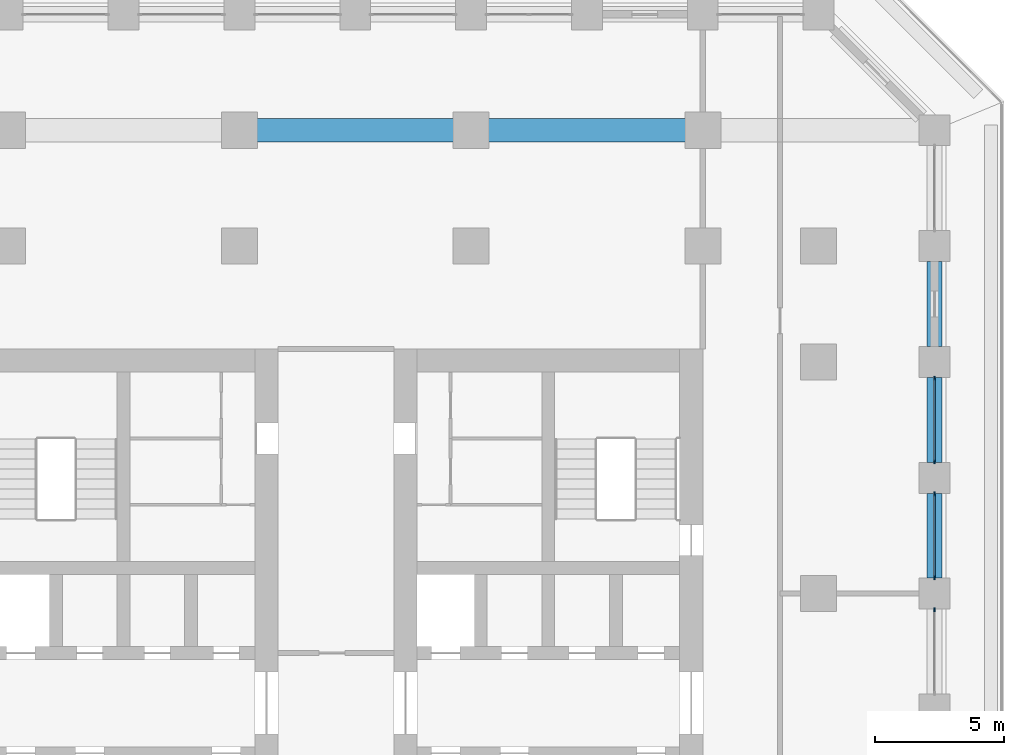
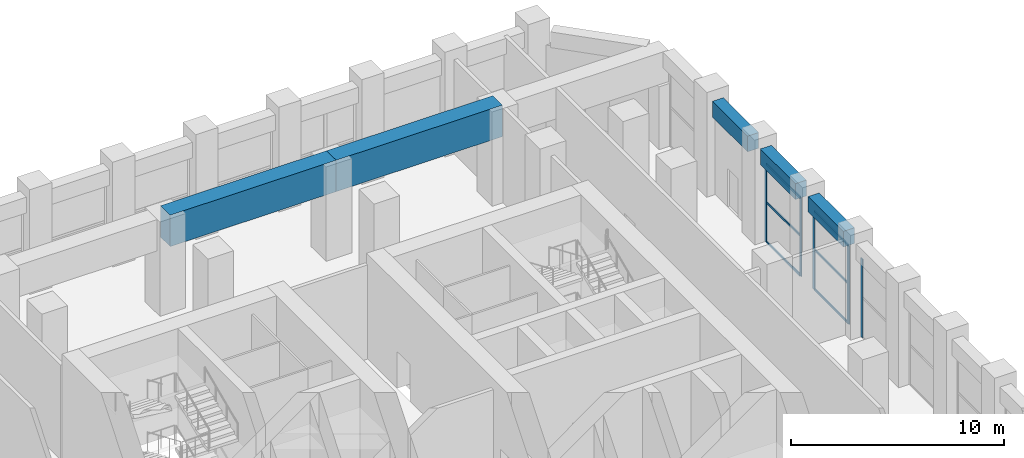
# One storey, part 8 of 24: 11 members, 5 beams, 3 elements without a shape of their own.
"""IFC4 building model written with IfcOpenShell, lengths in metres."""

from ifc_helpers import new_model, si_unit, direction, frame, origin, origin_2d, place, context, subcontext, project, spatial, rectangle, extrude, material, material_profile, profile_set, type_object, element, aggregate, save


model = new_model("IFC4")

# Units and contexts
model_context = context("Model", 3, precision=1e-05, world=origin(), true_north=direction((0.0, 1.0)))
body_context = subcontext(model_context, "Body", "Model", "MODEL_VIEW")
ifc_project = project(units=[si_unit("LENGTHUNIT", "METRE"), si_unit("AREAUNIT", "SQUARE_METRE"), si_unit("VOLUMEUNIT", "CUBIC_METRE"), si_unit("PLANEANGLEUNIT", "RADIAN"), si_unit("MASSUNIT", "GRAM", prefix="KILO")], contexts=[model_context])

# Site, building, storey
site_placement = place(None, origin())
site = spatial("IfcSite", under=ifc_project, at=site_placement, CompositionType="ELEMENT")
building_placement = place(site_placement, origin())
building = spatial("IfcBuilding", under=site, at=building_placement, Name="Corbel Stack Research Tower", CompositionType="ELEMENT")
storey_placement = place(building_placement, frame((0.0, 0.0, 145.39990234375)))
storey = spatial("IfcBuildingStorey", under=building, at=storey_placement, Name="L33", CompositionType="ELEMENT", Elevation=145.39990234375)

# Curtain wall, member
ifc_material_1 = material(Name="Aluminium frame, clear glass", Category="aluminium")
curtain_wall_type = type_object("IfcCurtainWallType", Name="Amenity floor curtain wall CW2", PredefinedType="NOTDEFINED", material=ifc_material_1)
curtain_wall_1_placement = place(storey_placement, origin())
curtain_wall_1 = element("IfcCurtainWall", 1, at=curtain_wall_1_placement, inside=storey, type_object=curtain_wall_type, Name="Curtain wall CW2 L33 E06", PredefinedType="NOTDEFINED")
ifc_material_2 = material(Name="Aluminium mullion", Category="aluminium")
ifc_material_profile_1 = material_profile(ifc_material_2, rectangle(XDim=0.06005859375, YDim=0.159912109375, at=origin_2d()), Name="Mullion 60 x 160")
ifc_profile_set_1 = profile_set([ifc_material_profile_1], Name="Aluminium mullion")
member_type_1 = type_object("IfcMemberType", Name="Curtain wall mullion 60 x 160", PredefinedType="MULLION", material=ifc_profile_set_1)
member_1_placement = place(storey_placement, frame((27.0, 8.3701171875, 0.0), z_axis=(0.0, 0.0, 1.0), x_axis=(-1.0, 0.0, 0.0)))
member_1 = element("IfcMember", 2, at=member_1_placement, type_object=member_type_1, Name="CW2 L33 E06 mullion 2", PredefinedType="MULLION", context=body_context, shape_type="SweptSolid", body=[
    extrude(rectangle(XDim=0.06005859375, YDim=0.159912109375, at=origin_2d()), origin(), (0.0, 0.0, 1.0), 4.5),
])
aggregate(curtain_wall_1, [member_1])

# Curtain wall, members
curtain_wall_2_placement = place(storey_placement, origin())
curtain_wall_2 = element("IfcCurtainWall", 3, at=curtain_wall_2_placement, inside=storey, type_object=curtain_wall_type, Name="Curtain wall CW2 L33 E07", PredefinedType="NOTDEFINED")
member_2_placement = place(storey_placement, frame((27.0, 9.6298828125, 0.0), z_axis=(0.0, 0.0, 1.0), x_axis=(-1.0, 0.0, 0.0)))
member_2 = element("IfcMember", 4, at=member_2_placement, type_object=member_type_1, Name="CW2 L33 E07 mullion 1", PredefinedType="MULLION", context=body_context, shape_type="SweptSolid", body=[
    extrude(rectangle(XDim=0.06005859375, YDim=0.159912109375, at=origin_2d()), origin(), (0.0, 0.0, 1.0), 4.5),
])
member_3_placement = place(storey_placement, frame((27.0, 12.8701171875, 0.0), z_axis=(0.0, 0.0, 1.0), x_axis=(-1.0, 0.0, 0.0)))
member_3 = element("IfcMember", 5, at=member_3_placement, type_object=member_type_1, Name="CW2 L33 E07 mullion 2", PredefinedType="MULLION", context=body_context, shape_type="SweptSolid", body=[
    extrude(rectangle(XDim=0.06005859375, YDim=0.159912109375, at=origin_2d()), origin(), (0.0, 0.0, 1.0), 4.5),
])

curtain_wall_3_placement = place(storey_placement, origin())
curtain_wall_3 = element("IfcCurtainWall", 6, at=curtain_wall_3_placement, inside=storey, type_object=curtain_wall_type, Name="Curtain wall CW2 L33 E08", PredefinedType="NOTDEFINED")
member_4_placement = place(storey_placement, frame((27.0, 14.1298828125, 0.0), z_axis=(0.0, 0.0, 1.0), x_axis=(-1.0, 0.0, 0.0)))
member_4 = element("IfcMember", 7, at=member_4_placement, type_object=member_type_1, Name="CW2 L33 E08 mullion 1", PredefinedType="MULLION", context=body_context, shape_type="SweptSolid", body=[
    extrude(rectangle(XDim=0.06005859375, YDim=0.159912109375, at=origin_2d()), origin(), (0.0, 0.0, 1.0), 4.5),
])
member_5_placement = place(storey_placement, frame((27.0, 17.3701171875, 0.0), z_axis=(0.0, 0.0, 1.0), x_axis=(-1.0, 0.0, 0.0)))
member_5 = element("IfcMember", 8, at=member_5_placement, type_object=member_type_1, Name="CW2 L33 E08 mullion 2", PredefinedType="MULLION", context=body_context, shape_type="SweptSolid", body=[
    extrude(rectangle(XDim=0.06005859375, YDim=0.159912109375, at=origin_2d()), origin(), (0.0, 0.0, 1.0), 4.5),
])

# Member
ifc_material_3 = material(Name="Aluminium transom", Category="aluminium")
ifc_material_profile_2 = material_profile(ifc_material_3, rectangle(XDim=0.06005859375, YDim=0.1201171875, at=origin_2d()), Name="Transom 60 x 120")
ifc_profile_set_2 = profile_set([ifc_material_profile_2], Name="Aluminium transom")
member_type_2 = type_object("IfcMemberType", Name="Curtain wall transom 60 x 120", PredefinedType="USERDEFINED", material=ifc_profile_set_2)
member_6_placement = place(storey_placement, frame((27.0, 9.659912109375, 0.030029296875), z_axis=(0.0, 1.0, 0.0), x_axis=(-1.0, 0.0, 0.0)))
member_6 = element("IfcMember", 9, at=member_6_placement, type_object=member_type_2, Name="CW2 L33 E07 transom 1.1", ObjectType="TRANSOM", PredefinedType="USERDEFINED", context=body_context, shape_type="SweptSolid", body=[
    extrude(rectangle(XDim=0.06005859375, YDim=0.1201171875, at=origin_2d()), origin(), (0.0, 0.0, 1.0), 3.18017578125),
])

member_7_placement = place(storey_placement, frame((27.0, 9.659912109375, 2.300048828125), z_axis=(0.0, 1.0, 0.0), x_axis=(-1.0, 0.0, 0.0)))
member_7 = element("IfcMember", 10, at=member_7_placement, type_object=member_type_2, Name="CW2 L33 E07 transom 1.2", ObjectType="TRANSOM", PredefinedType="USERDEFINED", context=body_context, shape_type="SweptSolid", body=[
    extrude(rectangle(XDim=0.06005859375, YDim=0.1201171875, at=origin_2d()), origin(), (0.0, 0.0, 1.0), 3.18017578125),
])

member_8_placement = place(storey_placement, frame((27.0, 9.659912109375, 4.47021484375), z_axis=(0.0, 1.0, 0.0), x_axis=(-1.0, 0.0, 0.0)))
member_8 = element("IfcMember", 11, at=member_8_placement, type_object=member_type_2, Name="CW2 L33 E07 transom 1.3", ObjectType="TRANSOM", PredefinedType="USERDEFINED", context=body_context, shape_type="SweptSolid", body=[
    extrude(rectangle(XDim=0.06005859375, YDim=0.1201171875, at=origin_2d()), origin(), (0.0, 0.0, 1.0), 3.18017578125),
])

aggregate(curtain_wall_2, [member_2, member_3, member_6, member_7, member_8])

member_9_placement = place(storey_placement, frame((27.0, 14.159912109375, 0.030029296875), z_axis=(0.0, 1.0, 0.0), x_axis=(-1.0, 0.0, 0.0)))
member_9 = element("IfcMember", 12, at=member_9_placement, type_object=member_type_2, Name="CW2 L33 E08 transom 1.1", ObjectType="TRANSOM", PredefinedType="USERDEFINED", context=body_context, shape_type="SweptSolid", body=[
    extrude(rectangle(XDim=0.06005859375, YDim=0.1201171875, at=origin_2d()), origin(), (0.0, 0.0, 1.0), 3.18017578125),
])

member_10_placement = place(storey_placement, frame((27.0, 14.159912109375, 2.300048828125), z_axis=(0.0, 1.0, 0.0), x_axis=(-1.0, 0.0, 0.0)))
member_10 = element("IfcMember", 13, at=member_10_placement, type_object=member_type_2, Name="CW2 L33 E08 transom 1.2", ObjectType="TRANSOM", PredefinedType="USERDEFINED", context=body_context, shape_type="SweptSolid", body=[
    extrude(rectangle(XDim=0.06005859375, YDim=0.1201171875, at=origin_2d()), origin(), (0.0, 0.0, 1.0), 3.18017578125),
])

member_11_placement = place(storey_placement, frame((27.0, 14.159912109375, 4.47021484375), z_axis=(0.0, 1.0, 0.0), x_axis=(-1.0, 0.0, 0.0)))
member_11 = element("IfcMember", 14, at=member_11_placement, type_object=member_type_2, Name="CW2 L33 E08 transom 1.3", ObjectType="TRANSOM", PredefinedType="USERDEFINED", context=body_context, shape_type="SweptSolid", body=[
    extrude(rectangle(XDim=0.06005859375, YDim=0.1201171875, at=origin_2d()), origin(), (0.0, 0.0, 1.0), 3.18017578125),
])

aggregate(curtain_wall_3, [member_4, member_5, member_9, member_10, member_11])

# Beams
ifc_material_4 = material(Name="Concrete C60/75", Category="concrete")
ifc_material_profile_3 = material_profile(ifc_material_4, rectangle(XDim=0.60009765625, YDim=0.89990234375, at=origin_2d()), Name="RC 600 x 900")
ifc_profile_set_3 = profile_set([ifc_material_profile_3], Name="Concrete C60/75")
beam_type_1 = type_object("IfcBeamType", Name="SB-600-900-600", PredefinedType="SPANDREL", material=ifc_profile_set_3)
for number, where, z_axis, x_axis, name in (
    (15, (27.0, 9.60009765625, 4.9501953125), (0.0, 1.0, 0.0), (-1.0, 0.0, 0.0), "Spandrel beam L33-18"),
    (16, (27.0, 14.10009765625, 4.9501953125), (0.0, 1.0, 0.0), (-1.0, 0.0, 0.0), "Spandrel beam L33-19"),
    (17, (27.0, 18.60009765625, 4.9501953125), (0.0, 1.0, 0.0), (-1.0, 0.0, 0.0), "Spandrel beam L33-20"),
):
    element("IfcBeam", number, at=place(storey_placement, frame(where, z_axis=z_axis, x_axis=x_axis)), inside=storey, type_object=beam_type_1, Name=name, PredefinedType="SPANDREL", context=body_context, shape_type="SweptSolid", body=[
        extrude(rectangle(XDim=0.60009765625, YDim=0.89990234375, at=origin_2d()), origin(), (0.0, 0.0, 1.0), 3.2998046875),
    ])
ifc_material_5 = material(Name="Concrete C60/75", Category="concrete")
ifc_material_profile_4 = material_profile(ifc_material_5, rectangle(XDim=0.89990234375, YDim=1.800048828125, at=origin_2d()), Name="RC 900 x 1800")
ifc_profile_set_4 = profile_set([ifc_material_profile_4], Name="Concrete C60/75")
beam_type_2 = type_object("IfcBeamType", Name="TG-900-1800", PredefinedType="BEAM", material=ifc_profile_set_4)
for number, where, z_axis, x_axis, name in (
    (18, (0.0, 27.0, 4.5), (1.0, 0.0, 0.0), (0.0, 1.0, 0.0), "Transfer girder along the step L33 Nl0"),
    (19, (9.0, 27.0, 4.5), (1.0, 0.0, 0.0), (0.0, 1.0, 0.0), "Transfer girder along the step L33 Nl9"),
):
    element("IfcBeam", number, at=place(storey_placement, frame(where, z_axis=z_axis, x_axis=x_axis)), inside=storey, type_object=beam_type_2, Name=name, PredefinedType="BEAM", context=body_context, shape_type="SweptSolid", body=[
        extrude(rectangle(XDim=0.89990234375, YDim=1.800048828125, at=origin_2d()), origin(), (0.0, 0.0, 1.0), 9.0),
    ])

save(model, "model.ifc")
